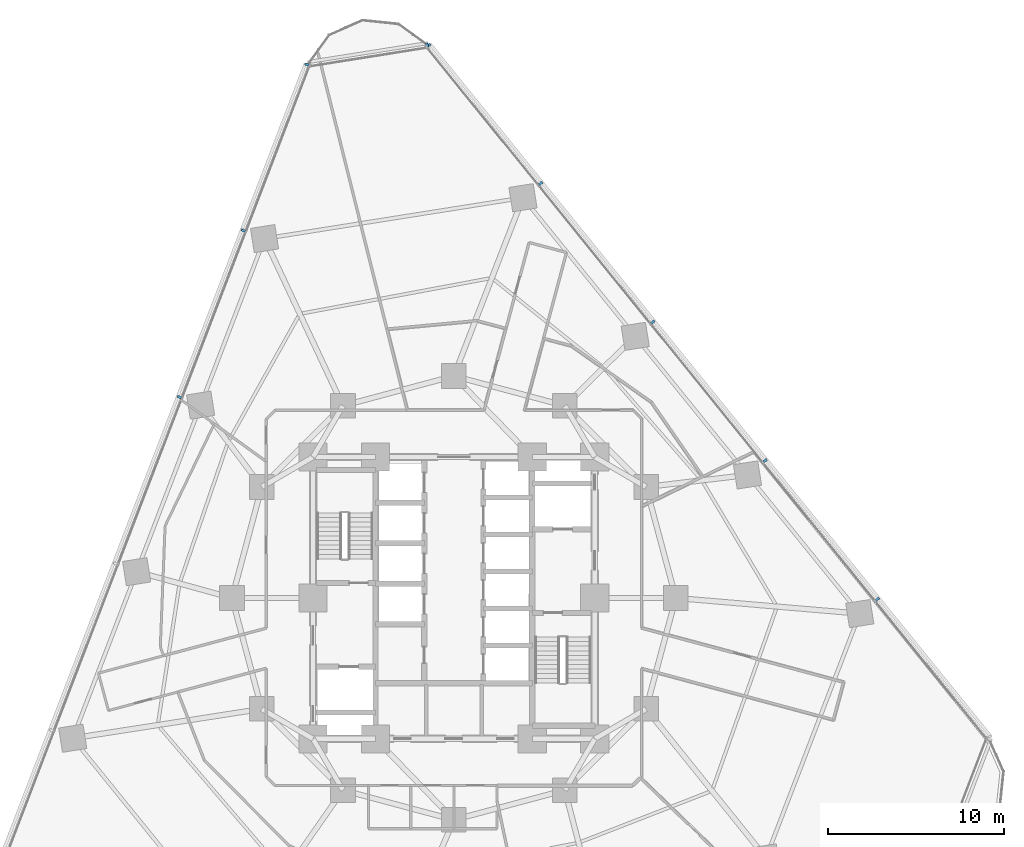
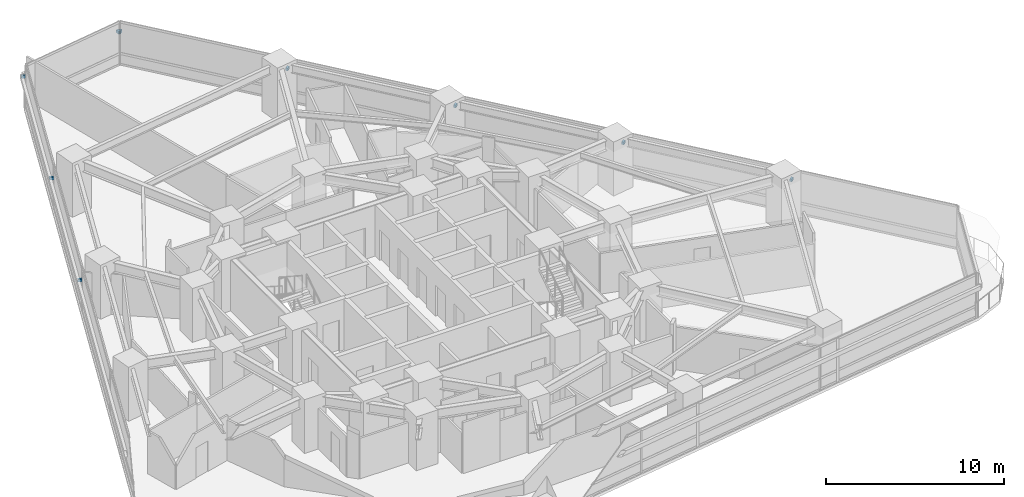
# One storey, part 11 of 14: 9 discrete accessories.
"""IFC4 building model written with IfcOpenShell, lengths in metres."""

from ifc_helpers import new_model, si_unit, direction, frame, origin, origin_2d, place, context, subcontext, project, spatial, rectangle, extrude, material, type_object, element, save


model = new_model("IFC4")

# Units and contexts
model_context = context("Model", 3, precision=1e-05, world=origin(), true_north=direction((0.0, 1.0)))
body_context = subcontext(model_context, "Body", "Model", "MODEL_VIEW")
ifc_project = project(units=[si_unit("LENGTHUNIT", "METRE"), si_unit("AREAUNIT", "SQUARE_METRE"), si_unit("VOLUMEUNIT", "CUBIC_METRE"), si_unit("PLANEANGLEUNIT", "RADIAN"), si_unit("MASSUNIT", "GRAM", prefix="KILO")], contexts=[model_context])

# Site, building, storey
site_placement = place(None, origin())
site = spatial("IfcSite", under=ifc_project, at=site_placement, CompositionType="ELEMENT")
building_placement = place(site_placement, origin())
building = spatial("IfcBuilding", under=site, at=building_placement, Name="Terralouvre Media Tower", CompositionType="ELEMENT")
storey_placement = place(building_placement, frame((0.0, 0.0, 74.10009765625)))
storey = spatial("IfcBuildingStorey", under=building, at=storey_placement, Name="L18", CompositionType="ELEMENT", Elevation=74.10009765625)

# Discrete accessories
ifc_material = material(Name="Anodised extruded aluminium 6063-T6", Category="aluminium")
discrete_accessory_type = type_object("IfcDiscreteAccessoryType", Name="Mullion Stand-Off Baguette Fixing Bracket BK-01", PredefinedType="BRACKET", material=ifc_material)
for number, where, z_axis, x_axis, name in (
    (1, (24.04541015625, -0.076904296875, 2.07373046875), (0.0, 0.0, 1.0), (-0.629320350521, 0.777145994276, 0.0), "CW-L18-F1 Baguette Outrigger Bracket 1.02"),
    (2, (17.671630859375, 7.794189453125, 2.07373046875), (0.0, 0.0, 1.0), (-0.629320350521, 0.777145994276, 0.0), "CW-L18-F1 Baguette Outrigger Bracket 1.03"),
    (3, (11.2978515625, 15.6650390625, 2.07373046875), (0.0, 0.0, 1.0), (-0.629320350521, 0.777145994276, 0.0), "CW-L18-F1 Baguette Outrigger Bracket 1.04"),
    (4, (4.92431640625, 23.535888671875, 2.07373046875), (0.0, 0.0, 1.0), (-0.629320350521, 0.777145994276, 0.0), "CW-L18-F1 Baguette Outrigger Bracket 1.05"),
    (5, (-1.426025390625, 31.377685546875, 2.07373046875), (0.0, 0.0, 1.0), (-0.629320350521, 0.777145994276, 0.0), "CW-L18-F1 Baguette Outrigger Bracket 1.06"),
    (6, (-8.340087890625, 30.28271484375, 2.07373046875), (0.0, 0.0, 1.0), (-0.358367917006, -0.933580438988, 0.0), "CW-L18-F2 Baguette Outrigger Bracket 1.01"),
    (7, (-11.956298828125, 20.8623046875, 2.07373046875), (0.0, 0.0, 1.0), (-0.358367917006, -0.933580438988, 0.0), "CW-L18-F2 Baguette Outrigger Bracket 1.02"),
    (8, (-15.585693359375, 11.406982421875, 2.07373046875), (0.0, 0.0, 1.0), (-0.358367917006, -0.933580438988, 0.0), "CW-L18-F2 Baguette Outrigger Bracket 1.03"),
    (9, (-1.520751953125, 31.395751953125, 2.07373046875), (0.0, 0.0, 1.0), (-0.987688353034, -0.156434386502, 0.0), "CW-L18-C2 Baguette Outrigger Bracket 1.01"),
):
    element("IfcDiscreteAccessory", number, at=place(storey_placement, frame(where, z_axis=z_axis, x_axis=x_axis)), inside=storey, type_object=discrete_accessory_type, Name=name, PredefinedType="BRACKET", context=body_context, shape_type="SweptSolid", body=[
        extrude(rectangle(XDim=0.139892578125, YDim=0.239990234375, at=origin_2d()), origin(), (0.0, 0.0, 1.0), 0.179931640625),
    ])

save(model, "model.ifc")
